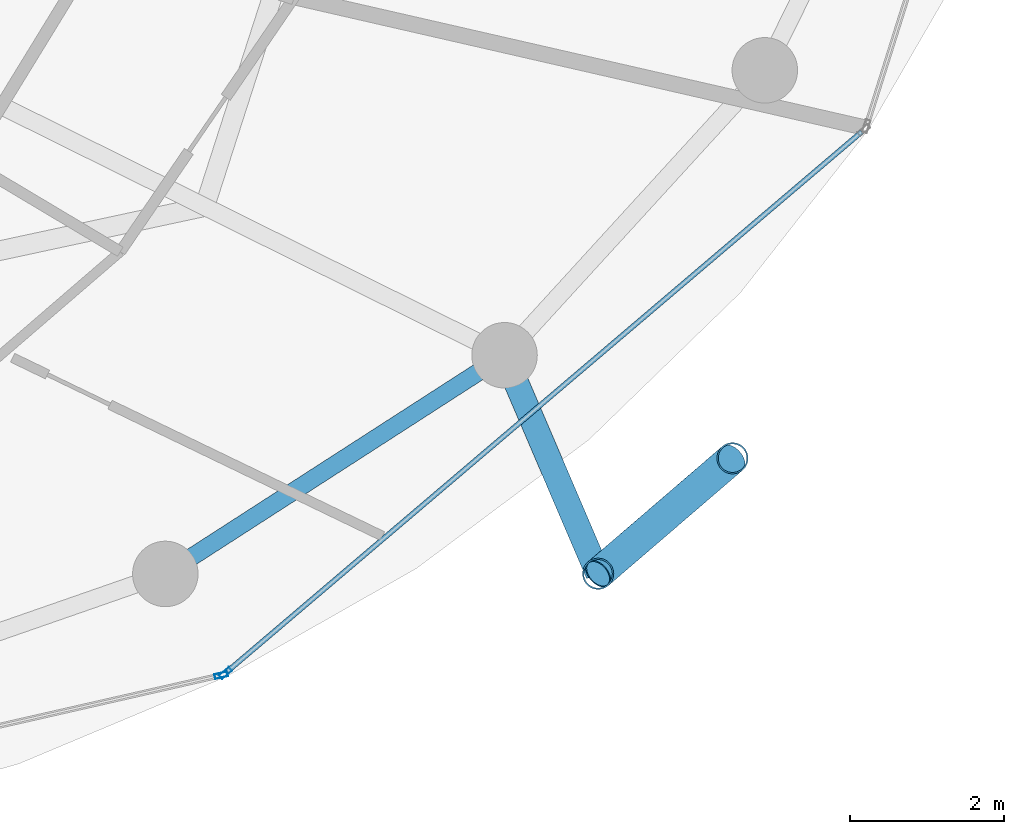
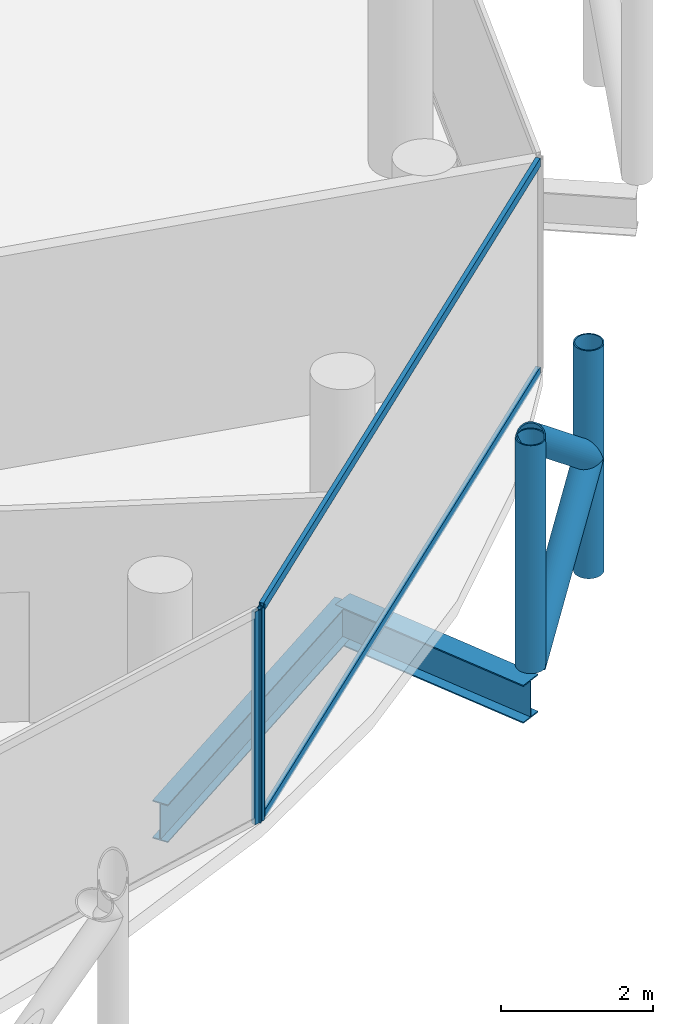
# One storey, part 11 of 27: 8 members, 2 beams, 2 elements without a shape of their own.
"""IFC4 building model written with IfcOpenShell, lengths in metres."""

import ifcopenshell
import ifcopenshell.guid

model = None  # the IFC model being written
_history = None  # IfcOwnerHistory: only IFC2X3 demands one
_inside = {}  # id of a spatial element -> (the spatial element, [elements in it])
_under = {}  # id of a project, library or spatial element -> (it, [spatial elements below it])
_declared = {}  # id of a project -> (the project, [libraries it declares])
_typed = {}  # id of a type object -> (the type object, [elements of that type])
_made_of = {}  # id of a material, layer set ... -> (it, [elements and type objects made of it])


def new_model(schema):
    """Start an empty IFC model of exactly this schema.

    Asked for "IFC4X3", IfcOpenShell would pick the latest addendum, in which some entities
    have other attributes; the version numbers below select the first issue.
    IFC2X3 requires an IfcOwnerHistory on every rooted entity: one is made here for all.
    """
    global model, _history
    if schema == "IFC4X3":
        model = ifcopenshell.file(schema_version=(4, 3, 0, 0))
    else:
        model = ifcopenshell.file(schema=schema)
    _inside.clear()
    _under.clear()
    _declared.clear()
    _typed.clear()
    _made_of.clear()
    _history = None
    if model.schema == "IFC2X3":
        org = make("IfcOrganization", Name="unknown")
        user = make(
            "IfcPersonAndOrganization",
            ThePerson=make("IfcPerson", FamilyName="unknown"),
            TheOrganization=org,
        )
        app = make(
            "IfcApplication",
            ApplicationDeveloper=org,
            Version="unknown",
            ApplicationFullName="unknown",
            ApplicationIdentifier="unknown",
        )
        _history = make(
            "IfcOwnerHistory",
            OwningUser=user,
            OwningApplication=app,
            ChangeAction="ADDED",
            CreationDate=0,
        )
    return model


def make(cls, **values):
    """One entity of the class cls with the attributes given. An attribute that is None is left unset."""
    return model.create_entity(
        cls, **{name: value for name, value in values.items() if value is not None}
    )


def rooted(cls, **values):
    """An entity with a GlobalId (a new one), such as an element, a storey or a relation."""
    return make(cls, GlobalId=ifcopenshell.guid.new(), OwnerHistory=_history, **values)


def si_unit(unit_type, name, prefix=None):
    """IfcSIUnit, for example si_unit("LENGTHUNIT", "METRE", prefix="MILLI")."""
    return make("IfcSIUnit", UnitType=unit_type, Prefix=prefix, Name=name)


def assignment(units):
    """IfcUnitAssignment: the units of a project."""
    return None if units is None else make("IfcUnitAssignment", Units=units)


def point(xyz):
    """IfcCartesianPoint."""
    return None if xyz is None else make("IfcCartesianPoint", Coordinates=xyz)


def direction(xyz):
    """IfcDirection."""
    return None if xyz is None else make("IfcDirection", DirectionRatios=xyz)


def frame(location, z_axis=None, x_axis=None):
    """IfcAxis2Placement3D, a coordinate frame: its origin and axes. An axis left out is left unset."""
    return make(
        "IfcAxis2Placement3D",
        Location=point(location),
        Axis=direction(z_axis),
        RefDirection=direction(x_axis),
    )


def frame_2d(location, x_axis=None):
    """IfcAxis2Placement2D, a coordinate frame in the plane: its origin and x axis."""
    return make(
        "IfcAxis2Placement2D", Location=point(location), RefDirection=direction(x_axis)
    )


def origin():
    """The frame at (0, 0, 0) with its axes left unset."""
    return frame((0.0, 0.0, 0.0))


def origin_2d():
    """The frame at (0, 0) in the plane with its x axis left unset."""
    return frame_2d((0.0, 0.0))


def place(relative_to, where):
    """IfcLocalPlacement: puts the frame where relative to a parent placement (None: the world)."""
    return make(
        "IfcLocalPlacement", PlacementRelTo=relative_to, RelativePlacement=where
    )


def context(
    kind, dimensions, precision=None, world=None, true_north=None, identifier=None
):
    """IfcGeometricRepresentationContext, for example the 3D "Model" context."""
    return make(
        "IfcGeometricRepresentationContext",
        ContextIdentifier=identifier,
        ContextType=kind,
        CoordinateSpaceDimension=dimensions,
        Precision=precision,
        WorldCoordinateSystem=world,
        TrueNorth=true_north,
    )


def subcontext(parent, identifier, kind, view, scale=None):
    """IfcGeometricRepresentationSubContext, for example "Body" below "Model"."""
    return make(
        "IfcGeometricRepresentationSubContext",
        ContextIdentifier=identifier,
        ContextType=kind,
        ParentContext=parent,
        TargetScale=scale,
        TargetView=view,
    )


def project(units=None, contexts=None):
    """IfcProject with its units and contexts."""
    return rooted(
        "IfcProject",
        Name="project",
        RepresentationContexts=contexts,
        UnitsInContext=assignment(units),
    )


def spatial(cls, under=None, at=None, **own):
    """A site, building, storey or space (cls), placed at a placement, below another one or the project."""
    s = rooted(cls, ObjectPlacement=at, **own)
    if under is not None:
        _under.setdefault(under.id(), (under, []))[1].append(s)
    return s


def profile(cls, at=None, kind="AREA", **sizes):
    """A parametric profile (cls). Its sizes go by their IFC names, for example OverallWidth=200.0."""
    return make(cls, ProfileType=kind, Position=at, **sizes)


def hollow_rectangle(**sizes):
    """IfcRectangleHollowProfileDef."""
    return profile("IfcRectangleHollowProfileDef", **sizes)


def hollow_circle(**sizes):
    """IfcCircleHollowProfileDef."""
    return profile("IfcCircleHollowProfileDef", **sizes)


def i_section(**sizes):
    """IfcIShapeProfileDef."""
    return profile("IfcIShapeProfileDef", **sizes)


def extrude(swept, where, along, depth):
    """IfcExtrudedAreaSolid: the profile swept, set in the frame where, extruded along a direction by depth."""
    return make(
        "IfcExtrudedAreaSolid",
        SweptArea=swept,
        Position=where,
        ExtrudedDirection=direction(along),
        Depth=depth,
    )


def shape(context_of_items, identifier, shape_type, items):
    """IfcShapeRepresentation: the items that make up one representation, for example the "Body"."""
    return make(
        "IfcShapeRepresentation",
        ContextOfItems=context_of_items,
        RepresentationIdentifier=identifier,
        RepresentationType=shape_type,
        Items=items,
    )


def material(Name=None, Category=None):
    """IfcMaterial."""
    return make("IfcMaterial", Name=Name, Category=Category)


def layer(
    of_material, thickness, ventilated=None, Name=None, Category=None, Priority=None
):
    """IfcMaterialLayer: one layer of a wall or slab, of a material (None: an air gap)."""
    return make(
        "IfcMaterialLayer",
        Material=of_material,
        LayerThickness=thickness,
        IsVentilated=ventilated,
        Name=Name,
        Category=Category,
        Priority=Priority,
    )


def layer_set(layers, Name=None):
    """IfcMaterialLayerSet."""
    return make("IfcMaterialLayerSet", MaterialLayers=layers, LayerSetName=Name)


def material_profile(
    of_material, cross_section, Name=None, Category=None, Priority=None
):
    """IfcMaterialProfile: a cross section and its material."""
    return make(
        "IfcMaterialProfile",
        Name=Name,
        Material=of_material,
        Profile=cross_section,
        Priority=Priority,
        Category=Category,
    )


def profile_set(profiles, Name=None, composite=None):
    """IfcMaterialProfileSet."""
    return make(
        "IfcMaterialProfileSet",
        Name=Name,
        MaterialProfiles=profiles,
        CompositeProfile=composite,
    )


def made_of(thing, what):
    """Note that an element or type object is made of a material, layer set ...; save() writes the relation."""
    if what is not None:
        _made_of.setdefault(what.id(), (what, []))[1].append(thing)
    return thing


def type_object(cls, material=None, **own):
    """A type object (cls), such as IfcWallType, which elements share."""
    return made_of(rooted(cls, **own), material)


def element(
    cls,
    number,
    at=None,
    inside=None,
    cuts=None,
    type_object=None,
    material=None,
    context=None,
    identifier="Body",
    shape_type=None,
    held_by="IfcProductDefinitionShape",
    body=None,
    shapes=None,
    **own,
):
    """One element of the class cls, such as IfcWall. Its Tag is "e" and its number.

    at: its placement. inside: the storey or other place that contains it. cuts: it is an
    opening in that element (IfcRelVoidsElement). A single representation is given by context,
    identifier, shape_type and body (its items); several are given by shapes. held_by: the class
    of the entity that holds the representations. save() writes the other relations.
    """
    e = rooted(cls, Tag="e%d" % number, ObjectPlacement=at, **own)
    if body is not None:
        shapes = [shape(context, identifier, shape_type, body)]
    if shapes is not None:
        e.Representation = make(held_by, Representations=shapes)
    if inside is not None:
        _inside.setdefault(inside.id(), (inside, []))[1].append(e)
    if cuts is not None:
        rooted(
            "IfcRelVoidsElement", RelatingBuildingElement=cuts, RelatedOpeningElement=e
        )
    if type_object is not None:
        _typed.setdefault(type_object.id(), (type_object, []))[1].append(e)
    return made_of(e, material)


def aggregate(whole, parts):
    """IfcRelAggregates: a whole, such as a stair, and the parts it consists of."""
    return rooted("IfcRelAggregates", RelatingObject=whole, RelatedObjects=parts)


def save(model, path):
    """Write the relations noted so far, then the file.

    IfcRelAggregates (storeys below a building ...), IfcRelContainedInSpatialStructure (elements
    in a storey), IfcRelDefinesByType, IfcRelAssociatesMaterial and IfcRelDeclares: one each for
    every whole, place, type object, material and project.
    """
    for whole, parts in _under.values():
        aggregate(whole, parts)
    for where, things in _inside.values():
        rooted(
            "IfcRelContainedInSpatialStructure",
            RelatedElements=things,
            RelatingStructure=where,
        )
    for kind, things in _typed.values():
        rooted("IfcRelDefinesByType", RelatedObjects=things, RelatingType=kind)
    for what, things in _made_of.values():
        rooted("IfcRelAssociatesMaterial", RelatedObjects=things, RelatingMaterial=what)
    for by, libraries in _declared.values():
        rooted("IfcRelDeclares", RelatingContext=by, RelatedDefinitions=libraries)
    model.write(path)


model = new_model("IFC4")

# Units and contexts
model_context = context("Model", 3, precision=1e-05, world=origin(), true_north=direction((0.0, 1.0)))
body_context = subcontext(model_context, "Body", "Model", "MODEL_VIEW")
ifc_project = project(units=[si_unit("LENGTHUNIT", "METRE"), si_unit("AREAUNIT", "SQUARE_METRE"), si_unit("VOLUMEUNIT", "CUBIC_METRE"), si_unit("PLANEANGLEUNIT", "RADIAN"), si_unit("MASSUNIT", "GRAM", prefix="KILO")], contexts=[model_context])

# Site, building, storey
site_placement = place(None, origin())
site = spatial("IfcSite", under=ifc_project, at=site_placement, CompositionType="ELEMENT")
building_placement = place(site_placement, origin())
building = spatial("IfcBuilding", under=site, at=building_placement, Name="Nuhasar Tower", CompositionType="ELEMENT")
storey_placement = place(building_placement, frame((0.0, 0.0, 215.449951171875)))
storey = spatial("IfcBuildingStorey", under=building, at=storey_placement, Name="L52", CompositionType="ELEMENT", Elevation=215.449951171875)

# Beams
ifc_material_1 = material(Name="Steel S355", Category="steel")
ifc_material_profile_1 = material_profile(ifc_material_1, i_section(OverallWidth=0.22802734375, OverallDepth=0.60791015625, WebThickness=0.01123046875, FlangeThickness=0.017333984375, at=origin_2d()), Name="W24X76")
ifc_profile_set_1 = profile_set([ifc_material_profile_1], Name="Steel S355")
beam_type_1 = type_object("IfcBeamType", Name="BM-RING-W24X76", PredefinedType="SPANDREL", material=ifc_profile_set_1)
beam_1_placement = place(storey_placement, frame((49.625, 11.341064453125, -0.5439453125), z_axis=(0.840502144969, 0.541808217272, 0.0), x_axis=(-0.541808217272, 0.840502144969, 0.0)))
element("IfcBeam", 1, at=beam_1_placement, inside=storey, type_object=beam_type_1, Name="L52 Perimeter Ring Spandrel 21", PredefinedType="SPANDREL", context=body_context, shape_type="SweptSolid", body=[
    extrude(i_section(OverallWidth=0.22802734375, OverallDepth=0.60791015625, WebThickness=0.01123046875, FlangeThickness=0.017333984375, at=origin_2d()), origin(), (0.0, 0.0, 1.0), 5.236083984375),
])
ifc_material_profile_2 = material_profile(ifc_material_1, i_section(OverallWidth=0.323974609375, OverallDepth=0.611083984375, WebThickness=0.0126953125, FlangeThickness=0.01904296875, at=origin_2d()), Name="W24X104")
ifc_profile_set_2 = profile_set([ifc_material_profile_2], Name="Steel S355")
beam_type_2 = type_object("IfcBeamType", Name="BM-TIE-W24X104", PredefinedType="BEAM", material=ifc_profile_set_2)
beam_2_placement = place(storey_placement, frame((54.02587890625, 14.177978515625, -0.544921875), z_axis=(0.393680429682, -0.919247365667, 0.0), x_axis=(0.919247365667, 0.393680429682, 0.0)))
element("IfcBeam", 2, at=beam_2_placement, inside=storey, type_object=beam_type_2, Name="L52 Exoskeleton Node Tie Beam 11", PredefinedType="BEAM", context=body_context, shape_type="SweptSolid", body=[
    extrude(i_section(OverallWidth=0.323974609375, OverallDepth=0.611083984375, WebThickness=0.0126953125, FlangeThickness=0.01904296875, at=origin_2d()), origin(), (0.0, 0.0, 1.0), 3.083984375),
])

# Curtain wall, member
ifc_material_2 = material(Name="Aluminium 6063-T6", Category="aluminium")
ifc_layer = layer(ifc_material_2, 0.18994140625)
ifc_layer_set = layer_set([ifc_layer], Name="Aluminium 6063-T6")
curtain_wall_type = type_object("IfcCurtainWallType", Name="CW-Z3-RES", PredefinedType="NOTDEFINED", material=ifc_layer_set)
curtain_wall_1_placement = place(storey_placement, origin())
curtain_wall_1 = element("IfcCurtainWall", 3, at=curtain_wall_1_placement, inside=storey, type_object=curtain_wall_type, Name="L52 Unitised Curtain Wall 10", PredefinedType="NOTDEFINED")
ifc_material_profile_3 = material_profile(ifc_material_2, hollow_rectangle(XDim=0.06494140625, YDim=0.169921875, WallThickness=0.0048828125, at=origin_2d()), Name="CWM-4")
ifc_profile_set_3 = profile_set([ifc_material_profile_3], Name="Aluminium 6063-T6")
member_type_1 = type_object("IfcMemberType", Name="CW-MUL-S4", PredefinedType="MULLION", material=ifc_profile_set_3)
member_1_placement = place(storey_placement, frame((50.348388671875, 10.02685546875, 0.0), z_axis=(0.0, 0.0, 1.0), x_axis=(-0.222243176313, 0.974991266926, 0.0)))
member_1 = element("IfcMember", 4, at=member_1_placement, type_object=member_type_1, Name="CW-Z3 mullion 2", PredefinedType="MULLION", context=body_context, shape_type="SweptSolid", body=[
    extrude(hollow_rectangle(XDim=0.06494140625, YDim=0.169921875, WallThickness=0.0048828125, at=origin_2d()), origin(), (0.0, 0.0, 1.0), 3.41015625),
])
aggregate(curtain_wall_1, [member_1])

# Curtain wall, members
curtain_wall_2_placement = place(storey_placement, origin())
curtain_wall_2 = element("IfcCurtainWall", 5, at=curtain_wall_2_placement, inside=storey, type_object=curtain_wall_type, Name="L52 Unitised Curtain Wall 11", PredefinedType="NOTDEFINED")
member_2_placement = place(storey_placement, frame((50.40478515625, 10.05517578125, 0.0), z_axis=(0.0, 0.0, 1.0), x_axis=(-0.64789521578, 0.761729472562, 0.0)))
member_2 = element("IfcMember", 6, at=member_2_placement, type_object=member_type_1, Name="CW-Z3 mullion 1", PredefinedType="MULLION", context=body_context, shape_type="SweptSolid", body=[
    extrude(hollow_rectangle(XDim=0.06494140625, YDim=0.169921875, WallThickness=0.0048828125, at=origin_2d()), origin(), (0.0, 0.0, 1.0), 3.41015625),
])
ifc_material_profile_4 = material_profile(ifc_material_2, hollow_rectangle(XDim=0.06494140625, YDim=0.139892578125, WallThickness=0.00439453125, at=origin_2d()), Name="CWT-4")
ifc_profile_set_4 = profile_set([ifc_material_profile_4], Name="Aluminium 6063-T6")
member_type_2 = type_object("IfcMemberType", Name="CW-TRN-S4", PredefinedType="USERDEFINED", material=ifc_profile_set_4)
member_3_placement = place(storey_placement, frame((50.429443359375, 10.076171875, 0.032470703125), z_axis=(0.761730809511, 0.647893643928, 0.0), x_axis=(-0.647893643928, 0.761730809511, 0.0)))
member_3 = element("IfcMember", 7, at=member_3_placement, type_object=member_type_2, Name="CW-Z3 transom 1.1", ObjectType="TRANSOM", PredefinedType="USERDEFINED", context=body_context, shape_type="SweptSolid", body=[
    extrude(hollow_rectangle(XDim=0.06494140625, YDim=0.139892578125, WallThickness=0.00439453125, at=origin_2d()), origin(), (0.0, 0.0, 1.0), 10.806884765625),
])
member_4_placement = place(storey_placement, frame((50.429443359375, 10.076171875, 3.37744140625), z_axis=(0.761730809511, 0.647893643928, 0.0), x_axis=(-0.647893643928, 0.761730809511, 0.0)))
member_4 = element("IfcMember", 8, at=member_4_placement, type_object=member_type_2, Name="CW-Z3 transom 1.2", ObjectType="TRANSOM", PredefinedType="USERDEFINED", context=body_context, shape_type="SweptSolid", body=[
    extrude(hollow_rectangle(XDim=0.06494140625, YDim=0.139892578125, WallThickness=0.00439453125, at=origin_2d()), origin(), (0.0, 0.0, 1.0), 10.806884765625),
])
aggregate(curtain_wall_2, [member_2, member_3, member_4])

# Members
ifc_material_3 = material(Name="Steel S460", Category="steel")
ifc_material_profile_5 = material_profile(ifc_material_3, hollow_circle(Radius=0.203125, WallThickness=0.01904296875, at=origin_2d()), Name="HSS406.4X19.1")
ifc_profile_set_5 = profile_set([ifc_material_profile_5], Name="Steel S460")
member_type_3 = type_object("IfcMemberType", Name="EXO-BRONZE-406", PredefinedType="BRACE", material=ifc_profile_set_5)
for number, where, z_axis, x_axis, name in (
    (9, (55.239990234375, 11.343017578125, 0.0), (0.0, 0.0, 1.0), (1.0, 0.0, 0.0), "L52 Exoskeleton Chord Column EC-11A"),
    (10, (56.98388671875, 12.842041015625, 0.0), (0.0, 0.0, 1.0), (1.0, 0.0, 0.0), "L52 Exoskeleton Chord Column EC-11B"),
):
    element("IfcMember", number, at=place(storey_placement, frame(where, z_axis=z_axis, x_axis=x_axis)), inside=storey, type_object=member_type_3, Name=name, PredefinedType="BRACE", context=body_context, shape_type="SweptSolid", body=[
        extrude(hollow_circle(Radius=0.203125, WallThickness=0.01904296875, at=origin_2d()), origin(), (0.0, 0.0, 1.0), 3.650146484375),
    ])
for number, where, z_axis, x_axis, name in (
    (11, (55.239990234375, 11.343017578125, 0.0), (0.594018535389, 0.510608120858, 0.621627964725), (-0.65185738425, 0.758341579104, 0.0), "L52 Bronze Diagrid Brace W1-11"),
    (12, (56.98388671875, 12.842041015625, 1.824951171875), (-0.593987827832, -0.51058172517, 0.621678986543), (0.65185738425, -0.758341579104, 0.0), "L52 Bronze Diagrid Brace W2-11"),
):
    element("IfcMember", number, at=place(storey_placement, frame(where, z_axis=z_axis, x_axis=x_axis)), inside=storey, type_object=member_type_3, Name=name, PredefinedType="BRACE", context=body_context, shape_type="SweptSolid", body=[
        extrude(hollow_circle(Radius=0.203125, WallThickness=0.01904296875, at=origin_2d()), origin(), (0.0, 0.0, 1.0), 2.935791015625),
    ])

save(model, "model.ifc")
